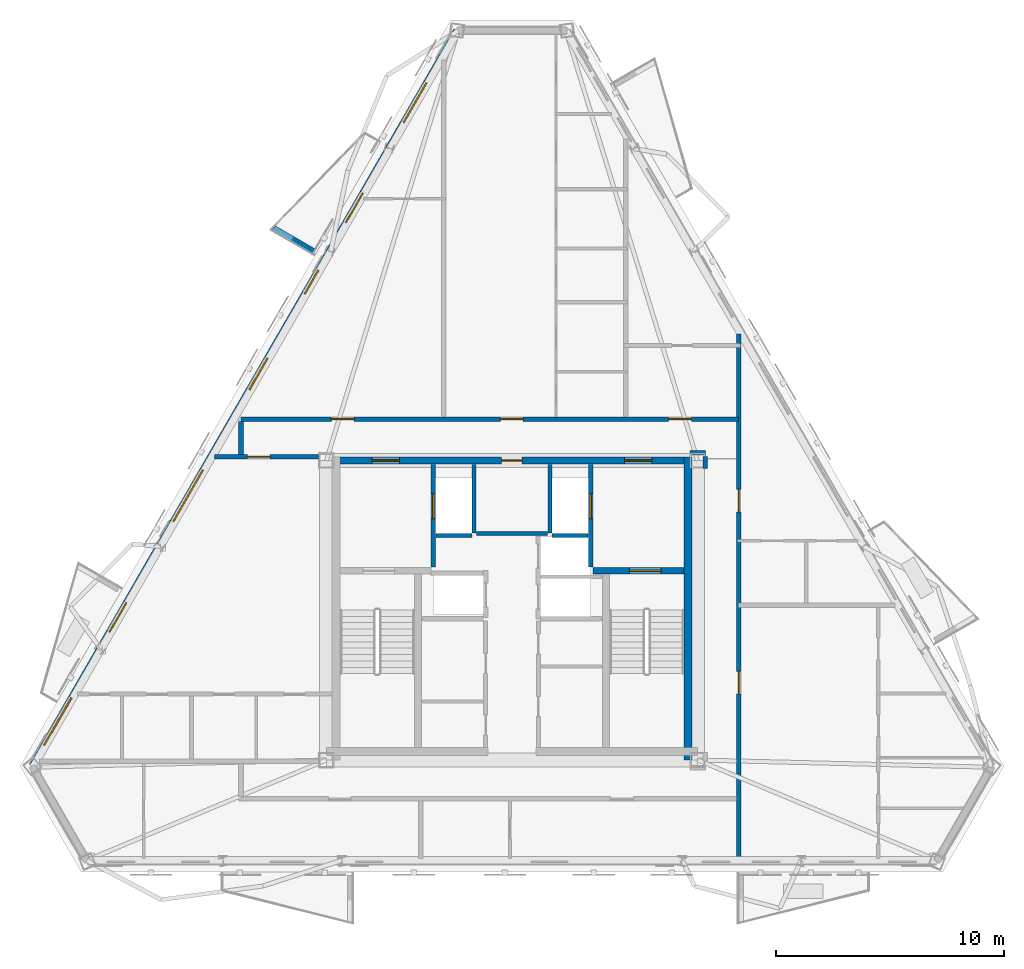
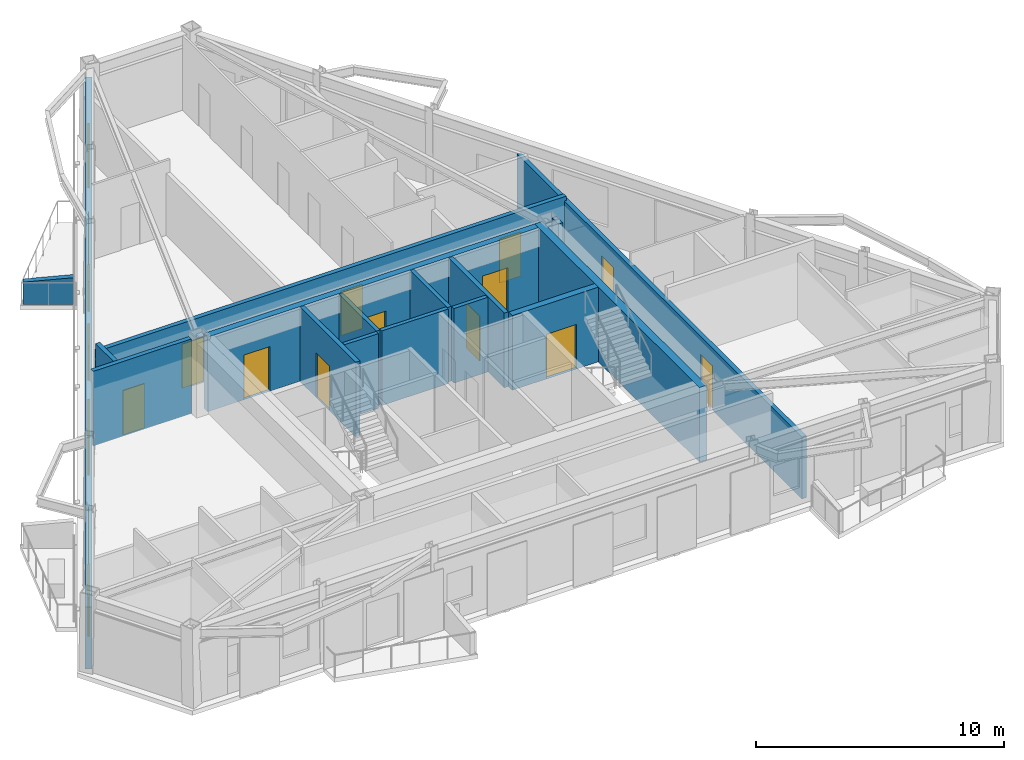
# One storey, part 4 of 9: 18 walls, 14 doors, 5 windows, 19 openings.
"""IFC4 building model written with IfcOpenShell, lengths in metres."""

from ifc_helpers import new_model, si_unit, direction, frame, frame_2d, origin, place, context, subcontext, project, spatial, polyline, rectangle, outline, extrude, material, layer, layer_set, type_object, element, fill, save


model = new_model("IFC4")

# Units and contexts
model_context = context("Model", 3, precision=1e-05, world=origin(), true_north=direction((0.0, 1.0)))
body_context = subcontext(model_context, "Body", "Model", "MODEL_VIEW")
ifc_project = project(units=[si_unit("LENGTHUNIT", "METRE"), si_unit("AREAUNIT", "SQUARE_METRE"), si_unit("VOLUMEUNIT", "CUBIC_METRE"), si_unit("PLANEANGLEUNIT", "RADIAN"), si_unit("MASSUNIT", "GRAM", prefix="KILO")], contexts=[model_context])

# Site, building, storey
site_placement = place(None, origin())
site = spatial("IfcSite", under=ifc_project, at=site_placement, CompositionType="ELEMENT")
building_placement = place(site_placement, origin())
building = spatial("IfcBuilding", under=site, at=building_placement, Name="Oramaril Tower", CompositionType="ELEMENT")
storey_placement = place(building_placement, frame((0.0, 0.0, 269.39990234375)))
storey = spatial("IfcBuildingStorey", under=building, at=storey_placement, Name="L71", CompositionType="ELEMENT", Elevation=269.39990234375)

# Wall, openings, doors, windows
ifc_material_1 = material(Name="Warm Cream Limestone", Category="masonry")
ifc_layer_1 = layer(ifc_material_1, 0.2900390625)
ifc_layer_set_1 = layer_set([ifc_layer_1], Name="WT-EXT29")
wall_type_1 = type_object("IfcWallType", Name="WT-EXT29", PredefinedType="SOLIDWALL", material=ifc_layer_set_1)
wall_1_placement = place(storey_placement, frame((35.076171875, 43.0322265625, 0.0), z_axis=(0.0, 0.0, 1.0), x_axis=(-0.500001430823, -0.866024577697, 0.0)))
wall_1 = element("IfcWall", 1, at=wall_1_placement, inside=storey, type_object=wall_type_1, Name="L71 Tower Limestone Facade Wall 6M", PredefinedType="SOLIDWALL", context=body_context, shape_type="SweptSolid", body=[
    extrude(rectangle(XDim=37.2958984375, YDim=0.2900390625, at=frame_2d((18.64794921875, 0.0))), origin(), (0.0, 0.0, 1.0), 3.05810546875),
])
opening_1_placement = place(wall_1_placement, frame((8.244384765625, 0.0, 0.0)))
opening_1 = element("IfcOpeningElement", 2, at=opening_1_placement, cuts=wall_1, Name="Opening D-L71-BAL-NW1", PredefinedType="OPENING", context=body_context, shape_type="SweptSolid", body=[
    extrude(rectangle(XDim=1.5, YDim=2.199951171875, at=frame_2d((0.75, 1.10009765625))), frame((0.0, 0.14501953125, 0.0), z_axis=(0.0, -1.0, 0.0), x_axis=(1.0, 0.0, 0.0)), (0.0, 0.0, 1.0), 0.2900390625),
])
opening_2_placement = place(wall_1_placement, frame((29.00634765625, 0.0, 0.0)))
opening_2 = element("IfcOpeningElement", 3, at=opening_2_placement, cuts=wall_1, Name="Opening D-L71-BAL-NW2", PredefinedType="OPENING", context=body_context, shape_type="SweptSolid", body=[
    extrude(rectangle(XDim=1.5, YDim=2.199951171875, at=frame_2d((0.75, 1.10009765625))), frame((0.0, 0.14501953125, 0.0), z_axis=(0.0, -1.0, 0.0), x_axis=(1.0, 0.0, 0.0)), (0.0, 0.0, 1.0), 0.2900390625),
])
opening_3_placement = place(wall_1_placement, frame((22.292236328125, 0.0, 0.85009765625)))
opening_3 = element("IfcOpeningElement", 4, at=opening_3_placement, cuts=wall_1, Name="Opening WN-02", PredefinedType="OPENING", context=body_context, shape_type="SweptSolid", body=[
    extrude(rectangle(XDim=2.60009765625, YDim=1.949951171875, at=frame_2d((1.300048828125, 0.97509765625))), frame((0.0, 0.14501953125, 0.0), z_axis=(0.0, -1.0, 0.0), x_axis=(1.0, 0.0, 0.0)), (0.0, 0.0, 1.0), 0.2900390625),
])
opening_4_placement = place(wall_1_placement, frame((33.83349609375, 0.0, 0.85009765625)))
opening_4 = element("IfcOpeningElement", 5, at=opening_4_placement, cuts=wall_1, Name="Opening WN-03", PredefinedType="OPENING", context=body_context, shape_type="SweptSolid", body=[
    extrude(rectangle(XDim=2.39990234375, YDim=1.89990234375, at=frame_2d((1.199951171875, 0.949951171875))), frame((0.0, 0.14501953125, 0.0), z_axis=(0.0, -1.0, 0.0), x_axis=(1.0, 0.0, 0.0)), (0.0, 0.0, 1.0), 0.2900390625),
])
opening_5_placement = place(wall_1_placement, frame((12.15380859375, 0.0, 0.85009765625)))
opening_5 = element("IfcOpeningElement", 6, at=opening_5_placement, cuts=wall_1, Name="Opening WN-09", PredefinedType="OPENING", context=body_context, shape_type="SweptSolid", body=[
    extrude(rectangle(XDim=1.199951171875, YDim=1.47998046875, at=frame_2d((0.60009765625, 0.739990234375))), frame((0.0, 0.14501953125, 0.0), z_axis=(0.0, -1.0, 0.0), x_axis=(1.0, 0.0, 0.0)), (0.0, 0.0, 1.0), 0.2900390625),
])
opening_6_placement = place(wall_1_placement, frame((16.6123046875, 0.0, 0.85009765625)))
opening_6 = element("IfcOpeningElement", 7, at=opening_6_placement, cuts=wall_1, Name="Opening WN-07", PredefinedType="OPENING", context=body_context, shape_type="SweptSolid", body=[
    extrude(rectangle(XDim=1.60009765625, YDim=1.699951171875, at=frame_2d((0.800048828125, 0.85009765625))), frame((0.0, 0.14501953125, 0.0), z_axis=(0.0, -1.0, 0.0), x_axis=(1.0, 0.0, 0.0)), (0.0, 0.0, 1.0), 0.2900390625),
])
opening_7_placement = place(wall_1_placement, frame((2.665283203125, 0.0, 0.85009765625)))
opening_7 = element("IfcOpeningElement", 8, at=opening_7_placement, cuts=wall_1, Name="Opening WN-05", PredefinedType="OPENING", context=body_context, shape_type="SweptSolid", body=[
    extrude(rectangle(XDim=2.0, YDim=1.800048828125, at=frame_2d((1.0, 0.89990234375))), frame((0.0, 0.14501953125, 0.0), z_axis=(0.0, -1.0, 0.0), x_axis=(1.0, 0.0, 0.0)), (0.0, 0.0, 1.0), 0.2900390625),
])
ifc_material_2 = material(Name="Anodised Aluminium 6063-T6", Category="aluminium")
door_type_1 = type_object("IfcDoorType", Name="DT-BAL", OperationType="NOTDEFINED", PredefinedType="DOOR", material=ifc_material_2)
door_1_placement = place(opening_1_placement, origin())
door_1 = element("IfcDoor", 9, at=door_1_placement, inside=storey, type_object=door_type_1, Name="L71 Balcony Glazed Door L71-BAL-NW1", OperationType="SINGLE_SWING_RIGHT", OverallHeight=2.199951171875, OverallWidth=1.5, PredefinedType="DOOR", context=body_context, shape_type="SweptSolid", body=[
    extrude(rectangle(XDim=1.5, YDim=2.199951171875, at=frame_2d((0.75, 1.10009765625))), frame((0.0, 0.02490234375, 0.0), z_axis=(0.0, -1.0, 0.0), x_axis=(1.0, 0.0, 0.0)), (0.0, 0.0, 1.0), 0.050048828125),
])
fill(opening_1, door_1)
door_2_placement = place(opening_2_placement, origin())
door_2 = element("IfcDoor", 10, at=door_2_placement, inside=storey, type_object=door_type_1, Name="L71 Balcony Glazed Door L71-BAL-NW2", OperationType="SINGLE_SWING_LEFT", OverallHeight=2.199951171875, OverallWidth=1.5, PredefinedType="DOOR", context=body_context, shape_type="SweptSolid", body=[
    extrude(rectangle(XDim=1.5, YDim=2.199951171875, at=frame_2d((0.75, 1.10009765625))), frame((0.0, 0.02490234375, 0.0), z_axis=(0.0, -1.0, 0.0), x_axis=(1.0, 0.0, 0.0)), (0.0, 0.0, 1.0), 0.050048828125),
])
fill(opening_2, door_2)
ifc_material_3 = material(Name="Coastal Low-E Insulated Glass", Category="glass")
window_type_1 = type_object("IfcWindowType", Name="WNT-02", PartitioningType="SINGLE_PANEL", PredefinedType="WINDOW", material=ifc_material_3)
window_1_placement = place(opening_3_placement, origin())
window_1 = element("IfcWindow", 11, at=window_1_placement, inside=storey, type_object=window_type_1, Name="L71 Chicago Bay Window WN-02", OverallHeight=1.949951171875, OverallWidth=2.60009765625, PartitioningType="SINGLE_PANEL", PredefinedType="WINDOW", context=body_context, shape_type="SweptSolid", body=[
    extrude(rectangle(XDim=2.60009765625, YDim=1.949951171875, at=frame_2d((1.300048828125, 0.97509765625))), frame((0.0, 0.030029296875, 0.0), z_axis=(0.0, -1.0, 0.0), x_axis=(1.0, 0.0, 0.0)), (0.0, 0.0, 1.0), 0.06005859375),
])
fill(opening_3, window_1)
ifc_material_4 = material(Name="Coastal Low-E Insulated Glass", Category="glass")
window_type_2 = type_object("IfcWindowType", Name="WNT-03", PartitioningType="SINGLE_PANEL", PredefinedType="WINDOW", material=ifc_material_4)
window_2_placement = place(opening_4_placement, origin())
window_2 = element("IfcWindow", 12, at=window_2_placement, inside=storey, type_object=window_type_2, Name="L71 Chicago Bay Window WN-03", OverallHeight=1.89990234375, OverallWidth=2.39990234375, PartitioningType="SINGLE_PANEL", PredefinedType="WINDOW", context=body_context, shape_type="SweptSolid", body=[
    extrude(rectangle(XDim=2.39990234375, YDim=1.89990234375, at=frame_2d((1.199951171875, 0.949951171875))), frame((0.0, 0.030029296875, 0.0), z_axis=(0.0, -1.0, 0.0), x_axis=(1.0, 0.0, 0.0)), (0.0, 0.0, 1.0), 0.06005859375),
])
fill(opening_4, window_2)
ifc_material_5 = material(Name="Coastal Low-E Insulated Glass", Category="glass")
window_type_3 = type_object("IfcWindowType", Name="WNT-05", PartitioningType="SINGLE_PANEL", PredefinedType="WINDOW", material=ifc_material_5)
window_3_placement = place(opening_7_placement, origin())
window_3 = element("IfcWindow", 13, at=window_3_placement, inside=storey, type_object=window_type_3, Name="L71 Chicago Bay Window WN-05", OverallHeight=1.800048828125, OverallWidth=2.0, PartitioningType="SINGLE_PANEL", PredefinedType="WINDOW", context=body_context, shape_type="SweptSolid", body=[
    extrude(rectangle(XDim=2.0, YDim=1.800048828125, at=frame_2d((1.0, 0.89990234375))), frame((0.0, 0.030029296875, 0.0), z_axis=(0.0, -1.0, 0.0), x_axis=(1.0, 0.0, 0.0)), (0.0, 0.0, 1.0), 0.06005859375),
])
fill(opening_7, window_3)
ifc_material_6 = material(Name="Coastal Low-E Insulated Glass", Category="glass")
window_type_4 = type_object("IfcWindowType", Name="WNT-07", PartitioningType="SINGLE_PANEL", PredefinedType="WINDOW", material=ifc_material_6)
window_4_placement = place(opening_6_placement, origin())
window_4 = element("IfcWindow", 14, at=window_4_placement, inside=storey, type_object=window_type_4, Name="L71 Chicago Bay Window WN-07", OverallHeight=1.699951171875, OverallWidth=1.60009765625, PartitioningType="SINGLE_PANEL", PredefinedType="WINDOW", context=body_context, shape_type="SweptSolid", body=[
    extrude(rectangle(XDim=1.60009765625, YDim=1.699951171875, at=frame_2d((0.800048828125, 0.85009765625))), frame((0.0, 0.030029296875, 0.0), z_axis=(0.0, -1.0, 0.0), x_axis=(1.0, 0.0, 0.0)), (0.0, 0.0, 1.0), 0.06005859375),
])
fill(opening_6, window_4)
ifc_material_7 = material(Name="Coastal Low-E Insulated Glass", Category="glass")
window_type_5 = type_object("IfcWindowType", Name="WNT-09", PartitioningType="SINGLE_PANEL", PredefinedType="WINDOW", material=ifc_material_7)
window_5_placement = place(opening_5_placement, origin())
window_5 = element("IfcWindow", 15, at=window_5_placement, inside=storey, type_object=window_type_5, Name="L71 Chicago Bay Window WN-09", OverallHeight=1.47998046875, OverallWidth=1.199951171875, PartitioningType="SINGLE_PANEL", PredefinedType="WINDOW", context=body_context, shape_type="SweptSolid", body=[
    extrude(rectangle(XDim=1.199951171875, YDim=1.47998046875, at=frame_2d((0.60009765625, 0.739990234375))), frame((0.0, 0.030029296875, 0.0), z_axis=(0.0, -1.0, 0.0), x_axis=(1.0, 0.0, 0.0)), (0.0, 0.0, 1.0), 0.06005859375),
])
fill(opening_5, window_5)

# Walls
ifc_material_8 = material(Name="Concrete C40/50", Category="concrete")
ifc_layer_2 = layer(ifc_material_8, 0.22998046875)
ifc_layer_set_2 = layer_set([ifc_layer_2], Name="WT-PRP23")
wall_type_2 = type_object("IfcWallType", Name="WT-PRP23", PredefinedType="PARAPET", material=ifc_layer_set_2)
wall_2_placement = place(storey_placement, frame((28.79345703125, 33.346435546875, 0.0), z_axis=(0.0, 0.0, 1.0), x_axis=(-0.866012356593, 0.500022597718, 0.0)))
element("IfcWall", 16, at=wall_2_placement, inside=storey, type_object=wall_type_2, Name="L71 Trapezoidal Balcony Frame Cheek L71-BAL-NW1-R", PredefinedType="PARAPET", context=body_context, shape_type="SweptSolid", body=[
    extrude(outline(polyline([(0.0, 0.0), (2.0419921875, 0.0), (2.0419921875, 1.10009765625), (0.0, 1.320068359375), (0.0, 0.0)])), frame((0.0, 0.114990234375, 0.0), z_axis=(0.0, -1.0, 0.0), x_axis=(1.0, 0.0, 0.0)), (0.0, 0.0, 1.0), 0.22998046875),
])
ifc_material_9 = material(Name="Autoclaved Cellular Concrete Block", Category="concrete")
ifc_layer_3 = layer(ifc_material_9, 0.179931640625)
ifc_layer_set_3 = layer_set([ifc_layer_3], Name="WT-PT18")
wall_type_3 = type_object("IfcWallType", Name="WT-PT18", PredefinedType="PARTITIONING", material=ifc_layer_set_3)
wall_3_placement = place(storey_placement, frame((35.840087890625, 20.9599609375, 0.0), z_axis=(0.0, 0.0, 1.0), x_axis=(0.0, 1.0, 0.0)))
element("IfcWall", 17, at=wall_3_placement, inside=storey, type_object=wall_type_3, Name="L71 FL-1 East Shaft Wall", PredefinedType="PARTITIONING", context=body_context, shape_type="SweptSolid", body=[
    extrude(rectangle(XDim=3.02001953125, YDim=0.179931640625, at=frame_2d((1.510009765625, 0.0))), origin(), (0.0, 0.0, 1.0), 3.68017578125),
])
wall_4_placement = place(storey_placement, frame((34.159912109375, 20.860107421875, 0.0), z_axis=(0.0, 0.0, 1.0), x_axis=(1.0, 0.0, 0.0)))
element("IfcWall", 18, at=wall_4_placement, inside=storey, type_object=wall_type_3, Name="L71 FL-1 South Shaft Wall", PredefinedType="PARTITIONING", context=body_context, shape_type="SweptSolid", body=[
    extrude(rectangle(XDim=1.580078125, YDim=0.179931640625, at=frame_2d((0.7900390625, 0.0))), origin(), (0.0, 0.0, 1.0), 3.68017578125),
])
wall_5_placement = place(storey_placement, frame((39.159912109375, 20.9599609375, 0.0), z_axis=(0.0, 0.0, 1.0), x_axis=(0.0, 1.0, 0.0)))
element("IfcWall", 19, at=wall_5_placement, inside=storey, type_object=wall_type_3, Name="L71 FL-2 West Shaft Wall", PredefinedType="PARTITIONING", context=body_context, shape_type="SweptSolid", body=[
    extrude(rectangle(XDim=3.02001953125, YDim=0.179931640625, at=frame_2d((1.510009765625, 0.0))), origin(), (0.0, 0.0, 1.0), 3.68017578125),
])
wall_6_placement = place(storey_placement, frame((39.260009765625, 20.860107421875, 0.0), z_axis=(0.0, 0.0, 1.0), x_axis=(1.0, 0.0, 0.0)))
element("IfcWall", 20, at=wall_6_placement, inside=storey, type_object=wall_type_3, Name="L71 FL-2 South Shaft Wall", PredefinedType="PARTITIONING", context=body_context, shape_type="SweptSolid", body=[
    extrude(rectangle(XDim=1.580078125, YDim=0.179931640625, at=frame_2d((0.7900390625, 0.0))), origin(), (0.0, 0.0, 1.0), 3.68017578125),
])
wall_7_placement = place(storey_placement, frame((35.949951171875, 20.949951171875, 0.0), z_axis=(0.0, 0.0, 1.0), x_axis=(1.0, 0.0, 0.0)))
element("IfcWall", 21, at=wall_7_placement, inside=storey, type_object=wall_type_3, Name="L71 Lift Lobby North Partition", PredefinedType="PARTITIONING", context=body_context, shape_type="SweptSolid", body=[
    extrude(rectangle(XDim=3.10009765625, YDim=0.179931640625, at=frame_2d((1.550048828125, 0.0))), origin(), (0.0, 0.0, 1.0), 3.68017578125),
])

# Wall, opening, door
ifc_material_10 = material(Name="Autoclaved Cellular Concrete Block", Category="concrete")
ifc_layer_4 = layer(ifc_material_10, 0.199951171875)
ifc_layer_set_4 = layer_set([ifc_layer_4], Name="WT-PT20")
wall_type_4 = type_object("IfcWallType", Name="WT-PT20", PredefinedType="PARTITIONING", material=ifc_layer_set_4)
wall_8_placement = place(storey_placement, frame((24.444580078125, 24.320068359375, 0.0), z_axis=(0.0, 0.0, 1.0), x_axis=(1.0, 0.0, 0.0)))
wall_8 = element("IfcWall", 22, at=wall_8_placement, inside=storey, type_object=wall_type_4, Name="L71 Interior Partition PT-20", PredefinedType="PARTITIONING", context=body_context, shape_type="SweptSolid", body=[
    extrude(rectangle(XDim=4.5654296875, YDim=0.199951171875, at=frame_2d((2.28271484375, 0.0))), origin(), (0.0, 0.0, 1.0), 3.68017578125),
])
opening_8_placement = place(wall_8_placement, frame((1.43701171875, 0.0, 0.0)))
opening_8 = element("IfcOpeningElement", 23, at=opening_8_placement, cuts=wall_8, Name="Opening D-L71-09", PredefinedType="OPENING", context=body_context, shape_type="SweptSolid", body=[
    extrude(rectangle(XDim=1.0, YDim=2.179931640625, at=frame_2d((0.5, 1.08984375))), frame((0.0, 0.10009765625, 0.0), z_axis=(0.0, -1.0, 0.0), x_axis=(1.0, 0.0, 0.0)), (0.0, 0.0, 1.0), 0.199951171875),
])
ifc_material_11 = material(Name="FSC Brazilian Freijo Hardwood", Category="wood")
door_type_2 = type_object("IfcDoorType", Name="DT-APT", OperationType="NOTDEFINED", PredefinedType="DOOR", material=ifc_material_11)
door_3_placement = place(opening_8_placement, origin())
door_3 = element("IfcDoor", 24, at=door_3_placement, inside=storey, type_object=door_type_2, Name="L71 Flat L71-U3 Penthouse 2-Bedroom Living and Dining Room Door D-L71-09", OperationType="SINGLE_SWING_RIGHT", OverallHeight=2.179931640625, OverallWidth=1.0, PredefinedType="DOOR", context=body_context, shape_type="SweptSolid", body=[
    extrude(rectangle(XDim=1.0, YDim=2.179931640625, at=frame_2d((0.5, 1.08984375))), frame((0.0, 0.02490234375, 0.0), z_axis=(0.0, -1.0, 0.0), x_axis=(1.0, 0.0, 0.0)), (0.0, 0.0, 1.0), 0.050048828125),
])
fill(opening_8, door_3)

# Wall
wall_9_placement = place(storey_placement, frame((45.304931640625, 24.5, 0.0), z_axis=(0.0, 0.0, 1.0), x_axis=(1.0, 0.0, 0.0)))
element("IfcWall", 25, at=wall_9_placement, inside=storey, type_object=wall_type_4, Name="L71 Interior Partition PT-20", PredefinedType="PARTITIONING", context=body_context, shape_type="SweptSolid", body=[
    extrude(rectangle(XDim=0.690185546875, YDim=0.199951171875, at=frame_2d((0.34521484375, 0.0))), origin(), (0.0, 0.0, 1.0), 3.26611328125),
])

# Wall, openings, doors
wall_10_placement = place(storey_placement, frame((25.60009765625, 25.969970703125, 0.0), z_axis=(0.0, 0.0, 1.0), x_axis=(1.0, 0.0, 0.0)))
wall_10 = element("IfcWall", 26, at=wall_10_placement, inside=storey, type_object=wall_type_4, Name="L71 Interior Partition PT-20", PredefinedType="PARTITIONING", context=body_context, shape_type="SweptSolid", body=[
    extrude(rectangle(XDim=21.849853515625, YDim=0.199951171875, at=frame_2d((10.9248046875, 0.0))), origin(), (0.0, 0.0, 1.0), 3.26611328125),
])
opening_9_placement = place(wall_10_placement, frame((3.970947265625, 0.0, 0.0)))
opening_9 = element("IfcOpeningElement", 27, at=opening_9_placement, cuts=wall_10, Name="Opening D-L71-10", PredefinedType="OPENING", context=body_context, shape_type="SweptSolid", body=[
    extrude(rectangle(XDim=1.0, YDim=2.179931640625, at=frame_2d((0.5, 1.08984375))), frame((0.0, 0.10009765625, 0.0), z_axis=(0.0, -1.0, 0.0), x_axis=(1.0, 0.0, 0.0)), (0.0, 0.0, 1.0), 0.199951171875),
])
opening_10_placement = place(wall_10_placement, frame((11.3876953125, 0.0, 0.0)))
opening_10 = element("IfcOpeningElement", 28, at=opening_10_placement, cuts=wall_10, Name="Opening D-L71-11", PredefinedType="OPENING", context=body_context, shape_type="SweptSolid", body=[
    extrude(rectangle(XDim=1.0, YDim=2.179931640625, at=frame_2d((0.5, 1.08984375))), frame((0.0, 0.10009765625, 0.0), z_axis=(0.0, -1.0, 0.0), x_axis=(1.0, 0.0, 0.0)), (0.0, 0.0, 1.0), 0.199951171875),
])
opening_11_placement = place(wall_10_placement, frame((18.77978515625, 0.0, 0.0)))
opening_11 = element("IfcOpeningElement", 29, at=opening_11_placement, cuts=wall_10, Name="Opening D-L71-12", PredefinedType="OPENING", context=body_context, shape_type="SweptSolid", body=[
    extrude(rectangle(XDim=1.0, YDim=2.179931640625, at=frame_2d((0.5, 1.08984375))), frame((0.0, 0.10009765625, 0.0), z_axis=(0.0, -1.0, 0.0), x_axis=(1.0, 0.0, 0.0)), (0.0, 0.0, 1.0), 0.199951171875),
])
door_4_placement = place(opening_9_placement, origin())
door_4 = element("IfcDoor", 30, at=door_4_placement, inside=storey, type_object=door_type_2, Name="L71 Flat L71-U6 Kitchen and Studio Apartment Door D-L71-10", OperationType="SINGLE_SWING_LEFT", OverallHeight=2.179931640625, OverallWidth=1.0, PredefinedType="DOOR", context=body_context, shape_type="SweptSolid", body=[
    extrude(rectangle(XDim=1.0, YDim=2.179931640625, at=frame_2d((0.5, 1.08984375))), frame((0.0, 0.02490234375, 0.0), z_axis=(0.0, -1.0, 0.0), x_axis=(1.0, 0.0, 0.0)), (0.0, 0.0, 1.0), 0.050048828125),
])
fill(opening_9, door_4)
door_5_placement = place(opening_10_placement, origin())
door_5 = element("IfcDoor", 31, at=door_5_placement, inside=storey, type_object=door_type_2, Name="L71 Flat L71-U7 Penthouse Living and Dining Room Door D-L71-11", OperationType="SINGLE_SWING_RIGHT", OverallHeight=2.179931640625, OverallWidth=1.0, PredefinedType="DOOR", context=body_context, shape_type="SweptSolid", body=[
    extrude(rectangle(XDim=1.0, YDim=2.179931640625, at=frame_2d((0.5, 1.08984375))), frame((0.0, 0.02490234375, 0.0), z_axis=(0.0, -1.0, 0.0), x_axis=(1.0, 0.0, 0.0)), (0.0, 0.0, 1.0), 0.050048828125),
])
fill(opening_10, door_5)
door_6_placement = place(opening_11_placement, origin())
door_6 = element("IfcDoor", 32, at=door_6_placement, inside=storey, type_object=door_type_2, Name="L71 Flat L71-U8 Kitchen and Studio Apartment Door D-L71-12", OperationType="SINGLE_SWING_LEFT", OverallHeight=2.179931640625, OverallWidth=1.0, PredefinedType="DOOR", context=body_context, shape_type="SweptSolid", body=[
    extrude(rectangle(XDim=1.0, YDim=2.179931640625, at=frame_2d((0.5, 1.08984375))), frame((0.0, 0.02490234375, 0.0), z_axis=(0.0, -1.0, 0.0), x_axis=(1.0, 0.0, 0.0)), (0.0, 0.0, 1.0), 0.050048828125),
])
fill(opening_11, door_6)

# Walls
wall_11_placement = place(storey_placement, frame((25.60009765625, 24.424072265625, 0.0), z_axis=(0.0, 0.0, 1.0), x_axis=(0.0, 1.0, 0.0)))
element("IfcWall", 33, at=wall_11_placement, inside=storey, type_object=wall_type_4, Name="L71 Interior Partition PT-20", PredefinedType="PARTITIONING", context=body_context, shape_type="SweptSolid", body=[
    extrude(rectangle(XDim=1.44189453125, YDim=0.199951171875, at=frame_2d((0.720947265625, 0.0))), origin(), (0.0, 0.0, 1.0), 3.68017578125),
])
wall_12_placement = place(storey_placement, frame((45.989990234375, 23.81005859375, 0.0), z_axis=(0.0, 0.0, 1.0), x_axis=(0.0, 1.0, 0.0)))
element("IfcWall", 34, at=wall_12_placement, inside=storey, type_object=wall_type_4, Name="L71 Interior Partition PT-20", PredefinedType="PARTITIONING", context=body_context, shape_type="SweptSolid", body=[
    extrude(rectangle(XDim=0.510009765625, YDim=0.199951171875, at=frame_2d((0.2548828125, 0.0))), origin(), (0.0, 0.0, 1.0), 3.68017578125),
])

# Wall, openings, doors
wall_13_placement = place(storey_placement, frame((47.449951171875, 6.68359375, 0.0), z_axis=(0.0, 0.0, 1.0), x_axis=(0.0, 1.0, 0.0)))
wall_13 = element("IfcWall", 35, at=wall_13_placement, inside=storey, type_object=wall_type_4, Name="L71 Interior Partition PT-20", PredefinedType="PARTITIONING", context=body_context, shape_type="SweptSolid", body=[
    extrude(rectangle(XDim=23.014892578125, YDim=0.199951171875, at=frame_2d((11.50732421875, 0.0))), origin(), (0.0, 0.0, 1.0), 3.05810546875),
])
opening_12_placement = place(wall_13_placement, frame((7.21240234375, 0.0, 0.0)))
opening_12 = element("IfcOpeningElement", 36, at=opening_12_placement, cuts=wall_13, Name="Opening D-L71-23", PredefinedType="OPENING", context=body_context, shape_type="SweptSolid", body=[
    extrude(rectangle(XDim=1.0, YDim=2.179931640625, at=frame_2d((0.5, 1.08984375))), frame((0.0, 0.10009765625, 0.0), z_axis=(0.0, -1.0, 0.0), x_axis=(1.0, 0.0, 0.0)), (0.0, 0.0, 1.0), 0.199951171875),
])
opening_13_placement = place(wall_13_placement, frame((15.1982421875, 0.0, 0.0)))
opening_13 = element("IfcOpeningElement", 37, at=opening_13_placement, cuts=wall_13, Name="Opening D-L71-24", PredefinedType="OPENING", context=body_context, shape_type="SweptSolid", body=[
    extrude(rectangle(XDim=1.0, YDim=2.179931640625, at=frame_2d((0.5, 1.08984375))), frame((0.0, 0.10009765625, 0.0), z_axis=(0.0, -1.0, 0.0), x_axis=(1.0, 0.0, 0.0)), (0.0, 0.0, 1.0), 0.199951171875),
])
door_7_placement = place(opening_12_placement, origin())
door_7 = element("IfcDoor", 38, at=door_7_placement, inside=storey, type_object=door_type_2, Name="L71 Flat L71-U4 Studio Apartment Door D-L71-23", OperationType="SINGLE_SWING_RIGHT", OverallHeight=2.179931640625, OverallWidth=1.0, PredefinedType="DOOR", context=body_context, shape_type="SweptSolid", body=[
    extrude(rectangle(XDim=1.0, YDim=2.179931640625, at=frame_2d((0.5, 1.08984375))), frame((0.0, 0.02490234375, 0.0), z_axis=(0.0, -1.0, 0.0), x_axis=(1.0, 0.0, 0.0)), (0.0, 0.0, 1.0), 0.050048828125),
])
fill(opening_12, door_7)
door_8_placement = place(opening_13_placement, origin())
door_8 = element("IfcDoor", 39, at=door_8_placement, inside=storey, type_object=door_type_2, Name="L71 Flat L71-U5 Studio Apartment Door D-L71-24", OperationType="SINGLE_SWING_LEFT", OverallHeight=2.179931640625, OverallWidth=1.0, PredefinedType="DOOR", context=body_context, shape_type="SweptSolid", body=[
    extrude(rectangle(XDim=1.0, YDim=2.179931640625, at=frame_2d((0.5, 1.08984375))), frame((0.0, 0.02490234375, 0.0), z_axis=(0.0, -1.0, 0.0), x_axis=(1.0, 0.0, 0.0)), (0.0, 0.0, 1.0), 0.050048828125),
])
fill(opening_13, door_8)

ifc_material_12 = material(Name="Concrete C50/60", Category="concrete")
ifc_layer_5 = layer(ifc_material_12, 0.300048828125)
ifc_layer_set_5 = layer_set([ifc_layer_5], Name="WT-SH30")
wall_type_5 = type_object("IfcWallType", Name="WT-SH30", PredefinedType="SHEAR", material=ifc_layer_set_5)
wall_14_placement = place(storey_placement, frame((29.64990234375, 24.14990234375, 0.0), z_axis=(0.0, 0.0, 1.0), x_axis=(1.0, 0.0, 0.0)))
wall_14 = element("IfcWall", 40, at=wall_14_placement, inside=storey, type_object=wall_type_5, Name="L71 Core Shear Wall CW-N", PredefinedType="SHEAR", context=body_context, shape_type="SweptSolid", body=[
    extrude(rectangle(XDim=15.7001953125, YDim=0.300048828125, at=frame_2d((7.85009765625, 0.0))), origin(), (0.0, 0.0, 1.0), 3.68017578125),
])
opening_14_placement = place(wall_14_placement, frame((1.699951171875, 0.0, 0.0)))
opening_14 = element("IfcOpeningElement", 41, at=opening_14_placement, cuts=wall_14, Name="Opening D-L71-FFL1", PredefinedType="OPENING", context=body_context, shape_type="SweptSolid", body=[
    extrude(rectangle(XDim=1.199951171875, YDim=2.199951171875, at=frame_2d((0.60009765625, 1.10009765625))), frame((0.0, 0.14990234375, 0.0), z_axis=(0.0, -1.0, 0.0), x_axis=(1.0, 0.0, 0.0)), (0.0, 0.0, 1.0), 0.300048828125),
])
opening_15_placement = place(wall_14_placement, frame((12.800048828125, 0.0, 0.0)))
opening_15 = element("IfcOpeningElement", 42, at=opening_15_placement, cuts=wall_14, Name="Opening D-L71-FFL2", PredefinedType="OPENING", context=body_context, shape_type="SweptSolid", body=[
    extrude(rectangle(XDim=1.199951171875, YDim=2.199951171875, at=frame_2d((0.60009765625, 1.10009765625))), frame((0.0, 0.14990234375, 0.0), z_axis=(0.0, -1.0, 0.0), x_axis=(1.0, 0.0, 0.0)), (0.0, 0.0, 1.0), 0.300048828125),
])
opening_16_placement = place(wall_14_placement, frame((7.39990234375, 0.0, 0.0)))
opening_16 = element("IfcOpeningElement", 43, at=opening_16_placement, cuts=wall_14, Name="Opening D-L71-SV1", PredefinedType="OPENING", context=body_context, shape_type="SweptSolid", body=[
    extrude(rectangle(XDim=0.89990234375, YDim=2.050048828125, at=frame_2d((0.449951171875, 1.02490234375))), frame((0.0, 0.14990234375, 0.0), z_axis=(0.0, -1.0, 0.0), x_axis=(1.0, 0.0, 0.0)), (0.0, 0.0, 1.0), 0.300048828125),
])
ifc_material_13 = material(Name="Painted Galvanised Steel", Category="steel")
door_type_3 = type_object("IfcDoorType", Name="DT-FFL", OperationType="NOTDEFINED", PredefinedType="DOOR", material=ifc_material_13)
door_9_placement = place(opening_14_placement, origin())
door_9 = element("IfcDoor", 44, at=door_9_placement, inside=storey, type_object=door_type_3, Name="L71 Firefighting Lobby 1 Fire Door", OperationType="SINGLE_SWING_LEFT", OverallHeight=2.199951171875, OverallWidth=1.199951171875, PredefinedType="DOOR", context=body_context, shape_type="SweptSolid", body=[
    extrude(rectangle(XDim=1.199951171875, YDim=2.199951171875, at=frame_2d((0.60009765625, 1.10009765625))), frame((0.0, 0.02490234375, 0.0), z_axis=(0.0, -1.0, 0.0), x_axis=(1.0, 0.0, 0.0)), (0.0, 0.0, 1.0), 0.050048828125),
])
fill(opening_14, door_9)
door_10_placement = place(opening_15_placement, origin())
door_10 = element("IfcDoor", 45, at=door_10_placement, inside=storey, type_object=door_type_3, Name="L71 Firefighting Lobby 2 Fire Door", OperationType="SINGLE_SWING_RIGHT", OverallHeight=2.199951171875, OverallWidth=1.199951171875, PredefinedType="DOOR", context=body_context, shape_type="SweptSolid", body=[
    extrude(rectangle(XDim=1.199951171875, YDim=2.199951171875, at=frame_2d((0.60009765625, 1.10009765625))), frame((0.0, 0.02490234375, 0.0), z_axis=(0.0, -1.0, 0.0), x_axis=(1.0, 0.0, 0.0)), (0.0, 0.0, 1.0), 0.050048828125),
])
fill(opening_15, door_10)
ifc_material_14 = material(Name="Painted Galvanised Steel", Category="steel")
door_type_4 = type_object("IfcDoorType", Name="DT-SVC", OperationType="NOTDEFINED", PredefinedType="DOOR", material=ifc_material_14)
door_11_placement = place(opening_16_placement, origin())
door_11 = element("IfcDoor", 46, at=door_11_placement, inside=storey, type_object=door_type_4, Name="L71 Core Janitor Store Door", OperationType="SINGLE_SWING_LEFT", OverallHeight=2.050048828125, OverallWidth=0.89990234375, PredefinedType="DOOR", context=body_context, shape_type="SweptSolid", body=[
    extrude(rectangle(XDim=0.89990234375, YDim=2.050048828125, at=frame_2d((0.449951171875, 1.02490234375))), frame((0.0, 0.02490234375, 0.0), z_axis=(0.0, -1.0, 0.0), x_axis=(1.0, 0.0, 0.0)), (0.0, 0.0, 1.0), 0.050048828125),
])
fill(opening_16, door_11)

# Wall, opening, door
wall_15_placement = place(storey_placement, frame((41.050048828125, 19.31005859375, 0.0), z_axis=(0.0, 0.0, 1.0), x_axis=(1.0, 0.0, 0.0)))
wall_15 = element("IfcWall", 47, at=wall_15_placement, inside=storey, type_object=wall_type_5, Name="L71 Core Shear Wall CW-ST2N", PredefinedType="SHEAR", context=body_context, shape_type="SweptSolid", body=[
    extrude(rectangle(XDim=4.010009765625, YDim=0.300048828125, at=frame_2d((2.0048828125, 0.0))), origin(), (0.0, 0.0, 1.0), 3.68017578125),
])
opening_17_placement = place(wall_15_placement, frame((1.60009765625, 0.0, 0.0)))
opening_17 = element("IfcOpeningElement", 48, at=opening_17_placement, cuts=wall_15, Name="Opening D-L71-ST2", PredefinedType="OPENING", context=body_context, shape_type="SweptSolid", body=[
    extrude(rectangle(XDim=1.39990234375, YDim=2.199951171875, at=frame_2d((0.699951171875, 1.10009765625))), frame((0.0, 0.14990234375, 0.0), z_axis=(0.0, -1.0, 0.0), x_axis=(1.0, 0.0, 0.0)), (0.0, 0.0, 1.0), 0.300048828125),
])
ifc_material_15 = material(Name="Painted Galvanised Steel", Category="steel")
door_type_5 = type_object("IfcDoorType", Name="DT-ST", OperationType="NOTDEFINED", PredefinedType="DOOR", material=ifc_material_15)
door_12_placement = place(opening_17_placement, origin())
door_12 = element("IfcDoor", 49, at=door_12_placement, inside=storey, type_object=door_type_5, Name="L71 Protected Stair ST-2 Fire Door", OperationType="SINGLE_SWING_RIGHT", OverallHeight=2.199951171875, OverallWidth=1.39990234375, PredefinedType="DOOR", context=body_context, shape_type="SweptSolid", body=[
    extrude(rectangle(XDim=1.39990234375, YDim=2.199951171875, at=frame_2d((0.699951171875, 1.10009765625))), frame((0.0, 0.02490234375, 0.0), z_axis=(0.0, -1.0, 0.0), x_axis=(1.0, 0.0, 0.0)), (0.0, 0.0, 1.0), 0.050048828125),
])
fill(opening_17, door_12)

# Wall
ifc_material_16 = material(Name="Concrete C50/60", Category="concrete")
ifc_layer_6 = layer(ifc_material_16, 0.35009765625)
ifc_layer_set_6 = layer_set([ifc_layer_6], Name="WT-SH35")
wall_type_6 = type_object("IfcWallType", Name="WT-SH35", PredefinedType="SHEAR", material=ifc_layer_set_6)
wall_16_placement = place(storey_placement, frame((45.235107421875, 11.0, 0.0), z_axis=(0.0, 0.0, 1.0), x_axis=(0.0, 1.0, 0.0)))
element("IfcWall", 50, at=wall_16_placement, inside=storey, type_object=wall_type_6, Name="L71 Core Shear Wall CW-E", PredefinedType="SHEAR", context=body_context, shape_type="SweptSolid", body=[
    extrude(rectangle(XDim=13.300048828125, YDim=0.35009765625, at=frame_2d((6.64990234375, 0.0))), origin(), (0.0, 0.0, 1.0), 3.68017578125),
])

# Wall, opening, door
ifc_material_17 = material(Name="Autoclaved Cellular Concrete Block", Category="concrete")
ifc_layer_7 = layer(ifc_material_17, 0.199951171875)
ifc_layer_set_7 = layer_set([ifc_layer_7], Name="WT-SHF20")
wall_type_7 = type_object("IfcWallType", Name="WT-SHF20", PredefinedType="PARTITIONING", material=ifc_layer_set_7)
wall_17_placement = place(storey_placement, frame((34.0400390625, 19.47998046875, 0.0), z_axis=(0.0, 0.0, 1.0), x_axis=(0.0, 1.0, 0.0)))
wall_17 = element("IfcWall", 51, at=wall_17_placement, inside=storey, type_object=wall_type_7, Name="L71 FL-1 Lobby Shaft Wall", PredefinedType="PARTITIONING", context=body_context, shape_type="SweptSolid", body=[
    extrude(rectangle(XDim=4.5, YDim=0.199951171875, at=frame_2d((2.25, 0.0))), origin(), (0.0, 0.0, 1.0), 3.68017578125),
])
opening_18_placement = place(wall_17_placement, frame((2.1201171875, 0.0, 0.0)))
opening_18 = element("IfcOpeningElement", 52, at=opening_18_placement, cuts=wall_17, Name="Opening LD-L71-FL-1", PredefinedType="OPENING", context=body_context, shape_type="SweptSolid", body=[
    extrude(rectangle(XDim=1.10009765625, YDim=2.199951171875, at=frame_2d((0.550048828125, 1.10009765625))), frame((0.0, 0.10009765625, 0.0), z_axis=(0.0, -1.0, 0.0), x_axis=(1.0, 0.0, 0.0)), (0.0, 0.0, 1.0), 0.199951171875),
])
ifc_material_18 = material(Name="Stainless Steel 316L", Category="steel")
door_type_6 = type_object("IfcDoorType", Name="DT-LD1", OperationType="NOTDEFINED", PredefinedType="DOOR", material=ifc_material_18)
door_13_placement = place(opening_18_placement, origin())
door_13 = element("IfcDoor", 53, at=door_13_placement, inside=storey, type_object=door_type_6, Name="L71 Lift FL-1 Sliding Landing Door", OperationType="SLIDING_TO_LEFT", OverallHeight=2.199951171875, OverallWidth=1.10009765625, PredefinedType="DOOR", context=body_context, shape_type="SweptSolid", body=[
    extrude(rectangle(XDim=1.10009765625, YDim=2.199951171875, at=frame_2d((0.550048828125, 1.10009765625))), frame((0.0, 0.02490234375, 0.0), z_axis=(0.0, -1.0, 0.0), x_axis=(1.0, 0.0, 0.0)), (0.0, 0.0, 1.0), 0.050048828125),
])
fill(opening_18, door_13)

wall_18_placement = place(storey_placement, frame((40.9599609375, 19.47998046875, 0.0), z_axis=(0.0, 0.0, 1.0), x_axis=(0.0, 1.0, 0.0)))
wall_18 = element("IfcWall", 54, at=wall_18_placement, inside=storey, type_object=wall_type_7, Name="L71 FL-2 Lobby Shaft Wall", PredefinedType="PARTITIONING", context=body_context, shape_type="SweptSolid", body=[
    extrude(rectangle(XDim=4.5, YDim=0.199951171875, at=frame_2d((2.25, 0.0))), origin(), (0.0, 0.0, 1.0), 3.68017578125),
])
opening_19_placement = place(wall_18_placement, frame((2.1201171875, 0.0, 0.0)))
opening_19 = element("IfcOpeningElement", 55, at=opening_19_placement, cuts=wall_18, Name="Opening LD-L71-FL-2", PredefinedType="OPENING", context=body_context, shape_type="SweptSolid", body=[
    extrude(rectangle(XDim=1.10009765625, YDim=2.199951171875, at=frame_2d((0.550048828125, 1.10009765625))), frame((0.0, 0.10009765625, 0.0), z_axis=(0.0, -1.0, 0.0), x_axis=(1.0, 0.0, 0.0)), (0.0, 0.0, 1.0), 0.199951171875),
])
door_14_placement = place(opening_19_placement, origin())
door_14 = element("IfcDoor", 56, at=door_14_placement, inside=storey, type_object=door_type_6, Name="L71 Lift FL-2 Sliding Landing Door", OperationType="SLIDING_TO_RIGHT", OverallHeight=2.199951171875, OverallWidth=1.10009765625, PredefinedType="DOOR", context=body_context, shape_type="SweptSolid", body=[
    extrude(rectangle(XDim=1.10009765625, YDim=2.199951171875, at=frame_2d((0.550048828125, 1.10009765625))), frame((0.0, 0.02490234375, 0.0), z_axis=(0.0, -1.0, 0.0), x_axis=(1.0, 0.0, 0.0)), (0.0, 0.0, 1.0), 0.050048828125),
])
fill(opening_19, door_14)

save(model, "model.ifc")
